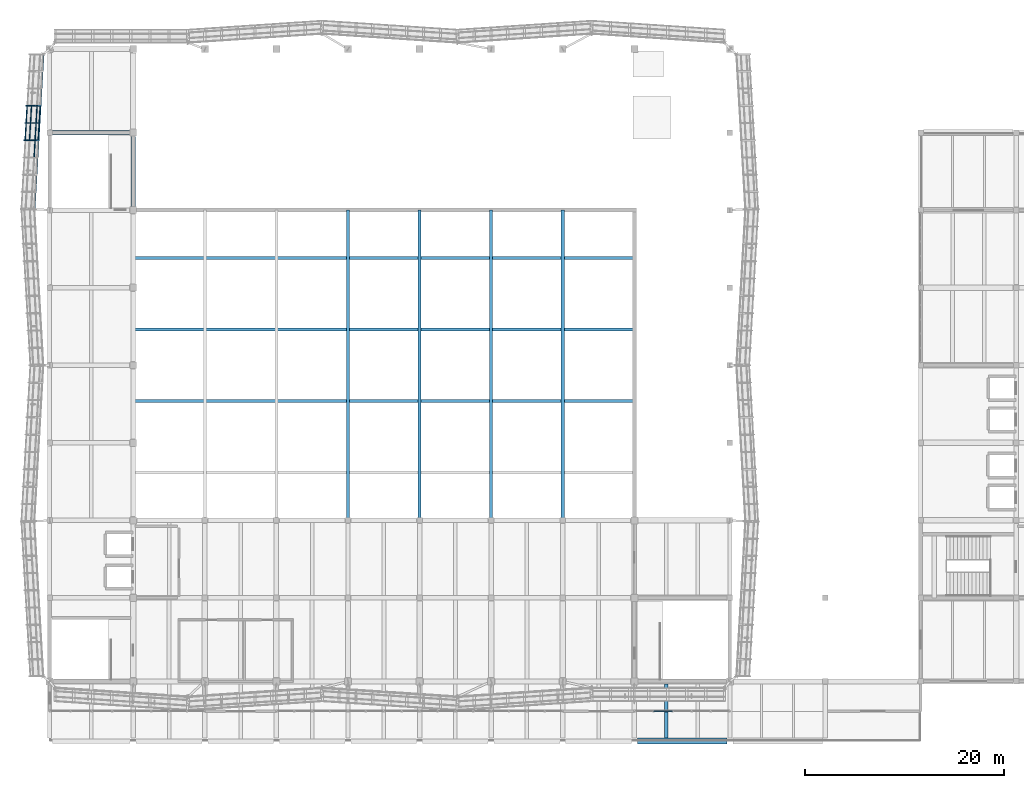
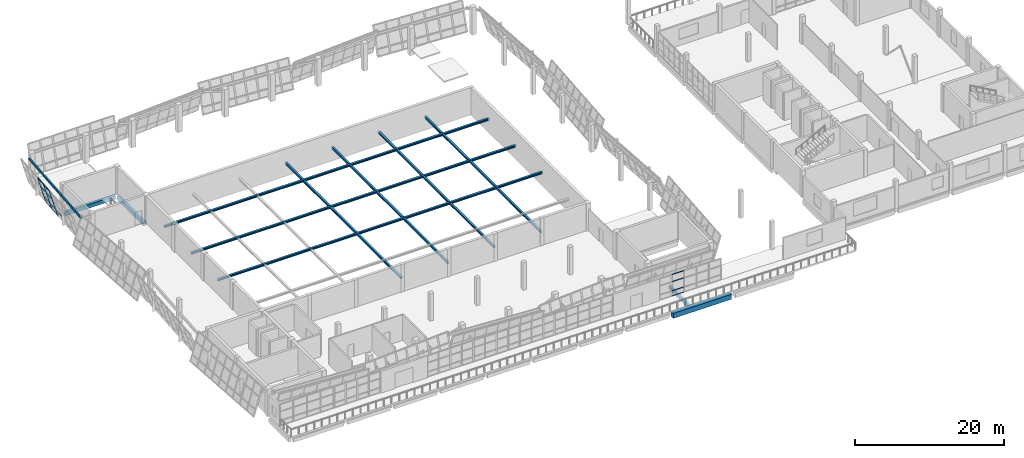
# One storey, part 16 of 67: 16 members, 12 beams, 2 elements without a shape of their own.
"""IFC4 building model written with IfcOpenShell, lengths in metres."""

from ifc_helpers import new_model, si_unit, direction, frame, origin, origin_2d, place, context, subcontext, project, spatial, rectangle, hollow_rectangle, i_section, extrude, material, material_profile, profile_set, type_object, element, aggregate, save


model = new_model("IFC4")

# Units and contexts
model_context = context("Model", 3, precision=1e-05, world=origin(), true_north=direction((0.0, 1.0)))
body_context = subcontext(model_context, "Body", "Model", "MODEL_VIEW")
ifc_project = project(units=[si_unit("LENGTHUNIT", "METRE"), si_unit("AREAUNIT", "SQUARE_METRE"), si_unit("VOLUMEUNIT", "CUBIC_METRE"), si_unit("PLANEANGLEUNIT", "RADIAN"), si_unit("MASSUNIT", "GRAM", prefix="KILO")], contexts=[model_context])

# Site, building, storey
site_placement = place(None, origin())
site = spatial("IfcSite", under=ifc_project, at=site_placement, CompositionType="ELEMENT")
building_placement = place(site_placement, origin())
building = spatial("IfcBuilding", under=site, at=building_placement, Name="Pellamere Symphony Hall", CompositionType="ELEMENT")
storey_placement = place(building_placement, frame((0.0, 0.0, 19.5)))
storey = spatial("IfcBuildingStorey", under=building, at=storey_placement, Name="L04", CompositionType="ELEMENT", Elevation=19.5)

# Curtain wall, members
ifc_material_1 = material(Name="Thermally Broken Anodised Aluminium 6063-T6 Curtain Wall", Category="aluminium")
curtain_wall_type_1 = type_object("IfcCurtainWallType", Name="Curtain Wall CW-01 (Tilted Faceted Crystal Low-Iron Curtain Wall)", PredefinedType="NOTDEFINED", material=ifc_material_1)
curtain_wall_1_placement = place(storey_placement, origin())
curtain_wall_1 = element("IfcCurtainWall", 1, at=curtain_wall_1_placement, inside=storey, type_object=curtain_wall_type_1, Name="Crystal Faceted Curtain Wall CW-CR15 (L04)", PredefinedType="NOTDEFINED")
ifc_material_2 = material(Name="Anodised Architectural Aluminium 6063-T6", Category="aluminium")
ifc_material_profile_1 = material_profile(ifc_material_2, hollow_rectangle(XDim=0.074951171875, YDim=0.219970703125, WallThickness=0.0048828125, at=origin_2d()), Name="ALU-M75X220X5")
ifc_profile_set_1 = profile_set([ifc_material_profile_1], Name="Anodised Architectural Aluminium 6063-T6")
member_type_1 = type_object("IfcMemberType", Name="Curtain Wall Mullion ML-01 ALU-M75X220X5", PredefinedType="MULLION", material=ifc_profile_set_1)
member_1_placement = place(storey_placement, frame((49.449951171875, 87.89990234375, 0.0), z_axis=(-0.284024567884, 0.0, 0.95881700279), x_axis=(-0.055224537145, -0.998339941676, -0.01635883099)))
member_1 = element("IfcMember", 2, at=member_1_placement, type_object=member_type_1, Name="CW1-041 crystal mullion 4", PredefinedType="MULLION", context=body_context, shape_type="SweptSolid", body=[
    extrude(hollow_rectangle(XDim=0.074951171875, YDim=0.219970703125, WallThickness=0.0048828125, at=origin_2d()), origin(), (0.0, 0.0, 1.0), 4.693359375),
])
member_2_placement = place(storey_placement, frame((49.35009765625, 86.166748046875, 0.0), z_axis=(-0.284024567884, 0.0, 0.95881700279), x_axis=(-0.055224537145, -0.998339941676, -0.01635883099)))
member_2 = element("IfcMember", 3, at=member_2_placement, type_object=member_type_1, Name="CW1-041 crystal mullion 5", PredefinedType="MULLION", context=body_context, shape_type="SweptSolid", body=[
    extrude(hollow_rectangle(XDim=0.074951171875, YDim=0.219970703125, WallThickness=0.0048828125, at=origin_2d()), origin(), (0.0, 0.0, 1.0), 4.693359375),
])
member_3_placement = place(storey_placement, frame((49.25, 84.433349609375, 0.0), z_axis=(-0.284024567884, 0.0, 0.95881700279), x_axis=(-0.055224537145, -0.998339941676, -0.01635883099)))
member_3 = element("IfcMember", 4, at=member_3_placement, type_object=member_type_1, Name="CW1-041 crystal mullion 6", PredefinedType="MULLION", context=body_context, shape_type="SweptSolid", body=[
    extrude(hollow_rectangle(XDim=0.074951171875, YDim=0.219970703125, WallThickness=0.0048828125, at=origin_2d()), origin(), (0.0, 0.0, 1.0), 4.693359375),
])
ifc_material_profile_2 = material_profile(ifc_material_2, hollow_rectangle(XDim=0.074951171875, YDim=0.179931640625, WallThickness=0.0048828125, at=origin_2d()), Name="ALU-T75X180X5")
ifc_profile_set_2 = profile_set([ifc_material_profile_2], Name="Anodised Architectural Aluminium 6063-T6")
member_type_2 = type_object("IfcMemberType", Name="Curtain Wall Transom TR-01 ALU-T75X180X5", PredefinedType="USERDEFINED", material=ifc_profile_set_2)
member_4_placement = place(storey_placement, frame((49.437255859375, 87.862548828125, 0.035888671875), z_axis=(-0.057610619545, -0.998339129012, 0.0), x_axis=(0.998339129012, -0.057610619545, 0.0)))
member_4 = element("IfcMember", 5, at=member_4_placement, type_object=member_type_2, Name="CW1-041 crystal transom 4.1", ObjectType="TRANSOM", PredefinedType="USERDEFINED", context=body_context, shape_type="SweptSolid", body=[
    extrude(hollow_rectangle(XDim=0.074951171875, YDim=0.179931640625, WallThickness=0.0048828125, at=origin_2d()), origin(), (0.0, 0.0, 1.0), 1.6611328125),
])
member_5_placement = place(storey_placement, frame((49.1279296875, 87.862548828125, 1.080078125), z_axis=(-0.057610619545, -0.998339129012, 0.0), x_axis=(0.998339129012, -0.057610619545, 0.0)))
member_5 = element("IfcMember", 6, at=member_5_placement, type_object=member_type_2, Name="CW1-041 crystal transom 4.2", ObjectType="TRANSOM", PredefinedType="USERDEFINED", context=body_context, shape_type="SweptSolid", body=[
    extrude(hollow_rectangle(XDim=0.074951171875, YDim=0.179931640625, WallThickness=0.0048828125, at=origin_2d()), origin(), (0.0, 0.0, 1.0), 1.6611328125),
])
member_6_placement = place(storey_placement, frame((48.568115234375, 87.862548828125, 2.969970703125), z_axis=(-0.057610619545, -0.998339129012, 0.0), x_axis=(0.998339129012, -0.057610619545, 0.0)))
member_6 = element("IfcMember", 7, at=member_6_placement, type_object=member_type_2, Name="CW1-041 crystal transom 4.3", ObjectType="TRANSOM", PredefinedType="USERDEFINED", context=body_context, shape_type="SweptSolid", body=[
    extrude(hollow_rectangle(XDim=0.074951171875, YDim=0.179931640625, WallThickness=0.0048828125, at=origin_2d()), origin(), (0.0, 0.0, 1.0), 1.6611328125),
])
member_7_placement = place(storey_placement, frame((48.12548828125, 87.862548828125, 4.464111328125), z_axis=(-0.057610619545, -0.998339129012, 0.0), x_axis=(0.998339129012, -0.057610619545, 0.0)))
member_7 = element("IfcMember", 8, at=member_7_placement, type_object=member_type_2, Name="CW1-041 crystal transom 4.4", ObjectType="TRANSOM", PredefinedType="USERDEFINED", context=body_context, shape_type="SweptSolid", body=[
    extrude(hollow_rectangle(XDim=0.074951171875, YDim=0.179931640625, WallThickness=0.0048828125, at=origin_2d()), origin(), (0.0, 0.0, 1.0), 1.6611328125),
])
member_8_placement = place(storey_placement, frame((49.337158203125, 86.129150390625, 0.035888671875), z_axis=(-0.057610619545, -0.998339129012, 0.0), x_axis=(0.998339129012, -0.057610619545, 0.0)))
member_8 = element("IfcMember", 9, at=member_8_placement, type_object=member_type_2, Name="CW1-041 crystal transom 5.1", ObjectType="TRANSOM", PredefinedType="USERDEFINED", context=body_context, shape_type="SweptSolid", body=[
    extrude(hollow_rectangle(XDim=0.074951171875, YDim=0.179931640625, WallThickness=0.0048828125, at=origin_2d()), origin(), (0.0, 0.0, 1.0), 1.6611328125),
])
member_9_placement = place(storey_placement, frame((49.02783203125, 86.129150390625, 1.080078125), z_axis=(-0.057610619545, -0.998339129012, 0.0), x_axis=(0.998339129012, -0.057610619545, 0.0)))
member_9 = element("IfcMember", 10, at=member_9_placement, type_object=member_type_2, Name="CW1-041 crystal transom 5.2", ObjectType="TRANSOM", PredefinedType="USERDEFINED", context=body_context, shape_type="SweptSolid", body=[
    extrude(hollow_rectangle(XDim=0.074951171875, YDim=0.179931640625, WallThickness=0.0048828125, at=origin_2d()), origin(), (0.0, 0.0, 1.0), 1.6611328125),
])
member_10_placement = place(storey_placement, frame((48.468017578125, 86.129150390625, 2.969970703125), z_axis=(-0.057610619545, -0.998339129012, 0.0), x_axis=(0.998339129012, -0.057610619545, 0.0)))
member_10 = element("IfcMember", 11, at=member_10_placement, type_object=member_type_2, Name="CW1-041 crystal transom 5.3", ObjectType="TRANSOM", PredefinedType="USERDEFINED", context=body_context, shape_type="SweptSolid", body=[
    extrude(hollow_rectangle(XDim=0.074951171875, YDim=0.179931640625, WallThickness=0.0048828125, at=origin_2d()), origin(), (0.0, 0.0, 1.0), 1.6611328125),
])
member_11_placement = place(storey_placement, frame((48.025390625, 86.129150390625, 4.464111328125), z_axis=(-0.057464139598, -0.998347571069, 0.0), x_axis=(0.998347571069, -0.057464139598, 0.0)))
member_11 = element("IfcMember", 12, at=member_11_placement, type_object=member_type_2, Name="CW1-041 crystal transom 5.4", ObjectType="TRANSOM", PredefinedType="USERDEFINED", context=body_context, shape_type="SweptSolid", body=[
    extrude(hollow_rectangle(XDim=0.074951171875, YDim=0.179931640625, WallThickness=0.0048828125, at=origin_2d()), origin(), (0.0, 0.0, 1.0), 1.6611328125),
])
member_12_placement = place(storey_placement, frame((48.927978515625, 84.39599609375, 1.080078125), z_axis=(-0.057610619545, -0.998339129012, 0.0), x_axis=(0.998339129012, -0.057610619545, 0.0)))
member_12 = element("IfcMember", 13, at=member_12_placement, type_object=member_type_2, Name="CW1-041 crystal transom 6.2", ObjectType="TRANSOM", PredefinedType="USERDEFINED", context=body_context, shape_type="SweptSolid", body=[
    extrude(hollow_rectangle(XDim=0.074951171875, YDim=0.179931640625, WallThickness=0.0048828125, at=origin_2d()), origin(), (0.0, 0.0, 1.0), 1.6611328125),
])
aggregate(curtain_wall_1, [member_1, member_2, member_3, member_4, member_5, member_6, member_7, member_8, member_9, member_10, member_11, member_12])

curtain_wall_type_2 = type_object("IfcCurtainWallType", Name="Curtain Wall CW-06 (Belvedere Terrace Clerestory Curtain Wall)", PredefinedType="NOTDEFINED", material=ifc_material_1)
curtain_wall_2_placement = place(storey_placement, origin())
curtain_wall_2 = element("IfcCurtainWall", 14, at=curtain_wall_2_placement, inside=storey, type_object=curtain_wall_type_2, Name="Winter-Garden South Curtain Wall (L04 Bay 9)", PredefinedType="NOTDEFINED")
ifc_material_profile_3 = material_profile(ifc_material_2, hollow_rectangle(XDim=0.06494140625, YDim=0.139892578125, WallThickness=0.00390625, at=origin_2d()), Name="ALU-T65X140X4")
ifc_profile_set_3 = profile_set([ifc_material_profile_3], Name="Anodised Architectural Aluminium 6063-T6")
member_type_3 = type_object("IfcMemberType", Name="Curtain Wall Transom TR-02 ALU-T65X140X4", PredefinedType="USERDEFINED", material=ifc_profile_set_3)
member_13_placement = place(storey_placement, frame((111.152587890625, 27.0, 0.032470703125), z_axis=(1.0, 0.0, 0.0), x_axis=(0.0, 1.0, 0.0)))
member_13 = element("IfcMember", 15, at=member_13_placement, type_object=member_type_3, Name="CW2-101 crystal transom 2.1", ObjectType="TRANSOM", PredefinedType="USERDEFINED", context=body_context, shape_type="SweptSolid", body=[
    extrude(hollow_rectangle(XDim=0.06494140625, YDim=0.139892578125, WallThickness=0.00390625, at=origin_2d()), origin(), (0.0, 0.0, 1.0), 1.85498046875),
])
member_14_placement = place(storey_placement, frame((111.152587890625, 27.0, 0.858642578125), z_axis=(1.0, 0.0, 0.0), x_axis=(0.0, 1.0, 0.0)))
member_14 = element("IfcMember", 16, at=member_14_placement, type_object=member_type_3, Name="CW2-101 crystal transom 2.2", ObjectType="TRANSOM", PredefinedType="USERDEFINED", context=body_context, shape_type="SweptSolid", body=[
    extrude(hollow_rectangle(XDim=0.06494140625, YDim=0.139892578125, WallThickness=0.00390625, at=origin_2d()), origin(), (0.0, 0.0, 1.0), 1.85498046875),
])
member_15_placement = place(storey_placement, frame((111.152587890625, 27.0, 2.361083984375), z_axis=(1.0, 0.0, 0.0), x_axis=(0.0, 1.0, 0.0)))
member_15 = element("IfcMember", 17, at=member_15_placement, type_object=member_type_3, Name="CW2-101 crystal transom 2.3", ObjectType="TRANSOM", PredefinedType="USERDEFINED", context=body_context, shape_type="SweptSolid", body=[
    extrude(hollow_rectangle(XDim=0.06494140625, YDim=0.139892578125, WallThickness=0.00390625, at=origin_2d()), origin(), (0.0, 0.0, 1.0), 1.85498046875),
])
member_16_placement = place(storey_placement, frame((111.152587890625, 27.0, 3.544921875), z_axis=(1.0, 0.0, 0.0), x_axis=(0.0, 1.0, 0.0)))
member_16 = element("IfcMember", 18, at=member_16_placement, type_object=member_type_3, Name="CW2-101 crystal transom 2.4", ObjectType="TRANSOM", PredefinedType="USERDEFINED", context=body_context, shape_type="SweptSolid", body=[
    extrude(hollow_rectangle(XDim=0.06494140625, YDim=0.139892578125, WallThickness=0.00390625, at=origin_2d()), origin(), (0.0, 0.0, 1.0), 1.85498046875),
])
aggregate(curtain_wall_2, [member_13, member_14, member_15, member_16])

# Beams
ifc_material_3 = material(Name="Concrete 40 MPa", Category="concrete")
ifc_material_profile_4 = material_profile(ifc_material_3, rectangle(XDim=0.449951171875, YDim=0.64990234375, at=origin_2d()), Name="RC 450x650")
ifc_profile_set_4 = profile_set([ifc_material_profile_4], Name="Concrete 40 MPa")
beam_type_1 = type_object("IfcBeamType", Name="RC CB-08 450x650", PredefinedType="BEAM", material=ifc_profile_set_4)
beam_1_placement = place(storey_placement, frame((58.800048828125, 77.77490234375, -0.5849609375), z_axis=(0.0, 1.0, 0.0), x_axis=(-1.0, 0.0, 0.0)))
element("IfcBeam", 19, at=beam_1_placement, inside=storey, type_object=beam_type_1, Name="Girder CB-08-Y1884 (L04)", PredefinedType="BEAM", context=body_context, shape_type="SweptSolid", body=[
    extrude(rectangle(XDim=0.449951171875, YDim=0.64990234375, at=origin_2d()), origin(), (0.0, 0.0, 1.0), 7.050048828125),
])
ifc_material_4 = material(Name="Concrete 35 MPa", Category="concrete")
ifc_material_profile_5 = material_profile(ifc_material_4, rectangle(XDim=0.35009765625, YDim=0.550048828125, at=origin_2d()), Name="RC 350x550")
ifc_profile_set_5 = profile_set([ifc_material_profile_5], Name="Concrete 35 MPa")
beam_type_2 = type_object("IfcBeamType", Name="RC CB-10 350x550", PredefinedType="BEAM", material=ifc_profile_set_5)
beam_2_placement = place(storey_placement, frame((112.39990234375, 24.2900390625, -0.550048828125), z_axis=(0.0, 1.0, 0.0), x_axis=(-1.0, 0.0, 0.0)))
element("IfcBeam", 20, at=beam_2_placement, inside=storey, type_object=beam_type_2, Name="Secondary Floor Beam CB-10-A1403 (L04)", PredefinedType="BEAM", context=body_context, shape_type="SweptSolid", body=[
    extrude(rectangle(XDim=0.35009765625, YDim=0.550048828125, at=origin_2d()), origin(), (0.0, 0.0, 1.0), 5.469970703125),
])
ifc_material_profile_6 = material_profile(ifc_material_3, rectangle(XDim=0.580078125, YDim=0.820068359375, at=origin_2d()), Name="RC 580x820")
ifc_profile_set_6 = profile_set([ifc_material_profile_6], Name="Concrete 40 MPa")
beam_type_3 = type_object("IfcBeamType", Name="RC CB-15 580x820", PredefinedType="BEAM", material=ifc_profile_set_6)
beam_3_placement = place(storey_placement, frame((109.5, 24.0, -0.669921875), z_axis=(1.0, 0.0, 0.0), x_axis=(0.0, 1.0, 0.0)))
element("IfcBeam", 21, at=beam_3_placement, inside=storey, type_object=beam_type_3, Name="Girder CB-15-X1801 (L04)", PredefinedType="BEAM", context=body_context, shape_type="SweptSolid", body=[
    extrude(rectangle(XDim=0.580078125, YDim=0.820068359375, at=origin_2d()), origin(), (0.0, 0.0, 1.0), 9.0),
])
ifc_material_profile_7 = material_profile(ifc_material_3, rectangle(XDim=0.43994140625, YDim=0.580078125, at=origin_2d()), Name="RC 440x580")
ifc_profile_set_7 = profile_set([ifc_material_profile_7], Name="Concrete 40 MPa")
beam_type_4 = type_object("IfcBeamType", Name="RC CB-20 440x580", PredefinedType="BEAM", material=ifc_profile_set_7)
beam_4_placement = place(storey_placement, frame((50.699951171875, 85.199951171875, -0.550048828125), z_axis=(1.0, 0.0, 0.0), x_axis=(0.0, 1.0, 0.0)))
element("IfcBeam", 22, at=beam_4_placement, inside=storey, type_object=beam_type_4, Name="Girder CB-20-X1864 (L04)", PredefinedType="BEAM", context=body_context, shape_type="SweptSolid", body=[
    extrude(rectangle(XDim=0.43994140625, YDim=0.580078125, at=origin_2d()), origin(), (0.0, 0.0, 1.0), 7.72509765625),
])
ifc_material_5 = material(Name="Steel CSA G40.21 350W", Category="steel")
ifc_material_profile_8 = material_profile(ifc_material_5, i_section(OverallWidth=0.30908203125, OverallDepth=0.322998046875, WebThickness=0.013916015625, FlangeThickness=0.02294921875, at=origin_2d()), Name="W310X143")
ifc_profile_set_8 = profile_set([ifc_material_profile_8], Name="Steel CSA G40.21 350W")
beam_type_5 = type_object("IfcBeamType", Name="Steel Beam SB-21 W310X143", PredefinedType="BEAM", material=ifc_profile_set_8)
for number, where, z_axis, x_axis, name in (
    (23, (58.800048828125, 58.199951171875, 2.10009765625), (1.0, 0.0, 0.0), (0.0, 1.0, 0.0), "Hall Acoustic Catwalk Girder 02"),
    (24, (58.800048828125, 65.39990234375, 2.10009765625), (1.0, 0.0, 0.0), (0.0, 1.0, 0.0), "Hall Acoustic Catwalk Girder 03"),
    (25, (58.800048828125, 72.60009765625, 2.10009765625), (1.0, 0.0, 0.0), (0.0, 1.0, 0.0), "Hall Acoustic Catwalk Girder 04"),
):
    element("IfcBeam", number, at=place(storey_placement, frame(where, z_axis=z_axis, x_axis=x_axis)), inside=storey, type_object=beam_type_5, Name=name, PredefinedType="BEAM", context=body_context, shape_type="SweptSolid", body=[
        extrude(i_section(OverallWidth=0.30908203125, OverallDepth=0.322998046875, WebThickness=0.013916015625, FlangeThickness=0.02294921875, at=origin_2d()), origin(), (0.0, 0.0, 1.0), 50.39990234375),
    ])
ifc_material_profile_9 = material_profile(ifc_material_5, i_section(OverallWidth=0.304931640625, OverallDepth=0.30810546875, WebThickness=0.010009765625, FlangeThickness=0.015380859375, at=origin_2d()), Name="W310X97")
ifc_profile_set_9 = profile_set([ifc_material_profile_9], Name="Steel CSA G40.21 350W")
beam_type_6 = type_object("IfcBeamType", Name="Steel Beam SB-22 W310X97", PredefinedType="BEAM", material=ifc_profile_set_9)
for number, where, z_axis, x_axis, name in (
    (26, (80.39990234375, 46.199951171875, 2.10009765625), (0.0, 1.0, 0.0), (-1.0, 0.0, 0.0), "Hall Rigging Grid Tie Beam 03"),
    (27, (87.60009765625, 46.199951171875, 2.10009765625), (0.0, 1.0, 0.0), (-1.0, 0.0, 0.0), "Hall Rigging Grid Tie Beam 04"),
    (28, (94.800048828125, 46.199951171875, 2.10009765625), (0.0, 1.0, 0.0), (-1.0, 0.0, 0.0), "Hall Rigging Grid Tie Beam 05"),
    (29, (102.0, 46.199951171875, 2.10009765625), (0.0, 1.0, 0.0), (-1.0, 0.0, 0.0), "Hall Rigging Grid Tie Beam 06"),
):
    element("IfcBeam", number, at=place(storey_placement, frame(where, z_axis=z_axis, x_axis=x_axis)), inside=storey, type_object=beam_type_6, Name=name, PredefinedType="BEAM", context=body_context, shape_type="SweptSolid", body=[
        extrude(i_section(OverallWidth=0.304931640625, OverallDepth=0.30810546875, WebThickness=0.010009765625, FlangeThickness=0.015380859375, at=origin_2d()), origin(), (0.0, 0.0, 1.0), 31.199951171875),
    ])
ifc_material_profile_10 = material_profile(ifc_material_5, hollow_rectangle(XDim=0.203125, YDim=0.3046875, WallThickness=0.0126953125, at=origin_2d()), Name="HSS305X203X13")
ifc_profile_set_10 = profile_set([ifc_material_profile_10], Name="Steel CSA G40.21 350W")
beam_type_7 = type_object("IfcBeamType", Name="Steel Spandrel SB-26 HSS305X203X13", PredefinedType="SPANDREL", material=ifc_profile_set_10)
beam_5_placement = place(storey_placement, frame((49.75, 93.10009765625, 3.93994140625), z_axis=(-0.057589946883, -0.998340321743, 0.0), x_axis=(0.998340321743, -0.057589946883, 0.0)))
element("IfcBeam", 30, at=beam_5_placement, inside=storey, type_object=beam_type_7, Name="Crystal Perimeter Ring Beam CW-CR15 (L04)", PredefinedType="SPANDREL", context=body_context, shape_type="SweptSolid", body=[
    extrude(hollow_rectangle(XDim=0.203125, YDim=0.3046875, WallThickness=0.0126953125, at=origin_2d()), origin(), (0.0, 0.0, 1.0), 15.6259765625),
])

save(model, "model.ifc")
